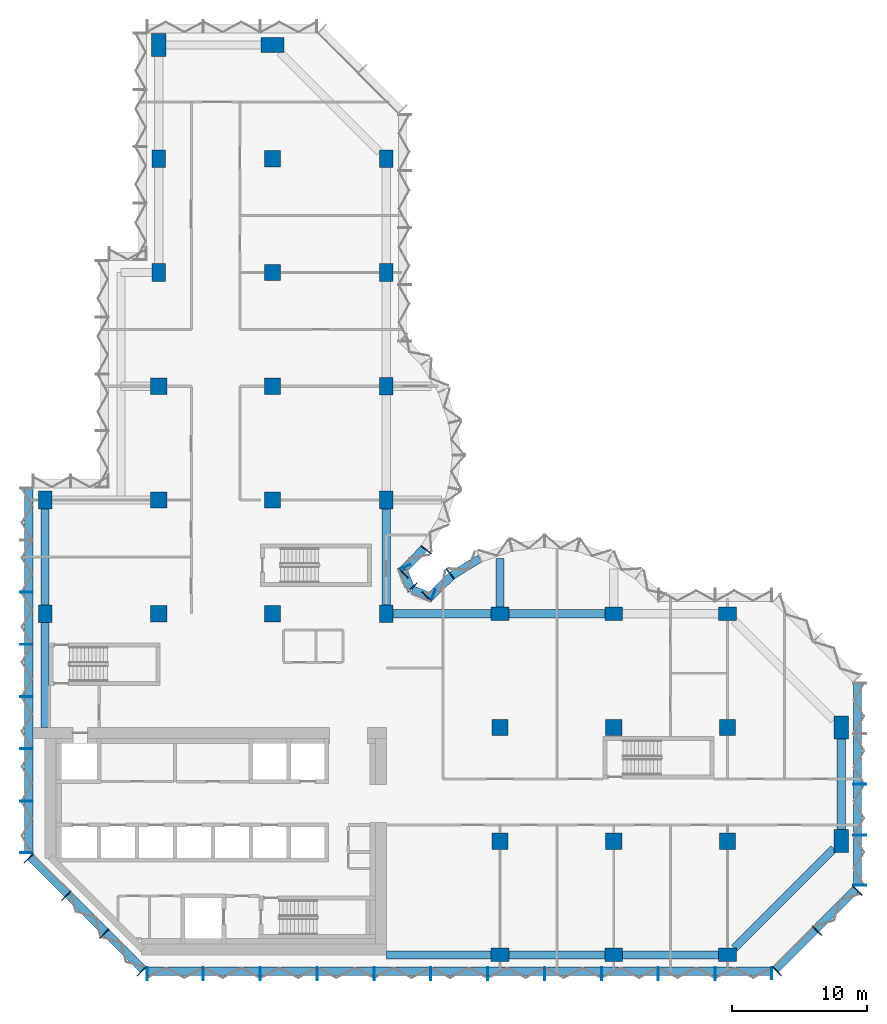
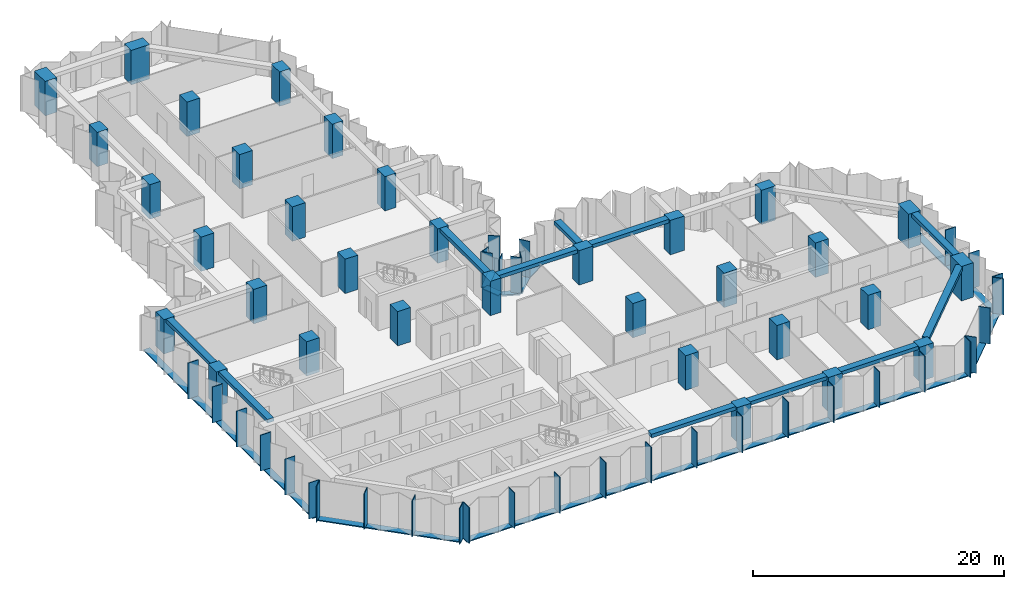
# One storey, part 1 of 11: 45 members, 33 columns, 11 beams, 8 elements without a shape of their own.
"""IFC4 building model written with IfcOpenShell, lengths in metres."""

from ifc_helpers import new_model, si_unit, direction, frame, origin, origin_2d, place, context, subcontext, project, spatial, rectangle, extrude, material, material_profile, profile_set, type_object, element, aggregate, save


model = new_model("IFC4")

# Units and contexts
model_context = context("Model", 3, precision=1e-05, world=origin(), true_north=direction((0.0, 1.0)))
body_context = subcontext(model_context, "Body", "Model", "MODEL_VIEW")
ifc_project = project(units=[si_unit("LENGTHUNIT", "METRE"), si_unit("AREAUNIT", "SQUARE_METRE"), si_unit("VOLUMEUNIT", "CUBIC_METRE"), si_unit("PLANEANGLEUNIT", "RADIAN"), si_unit("MASSUNIT", "GRAM", prefix="KILO")], contexts=[model_context])

# Site, building, storey
site_placement = place(None, origin())
site = spatial("IfcSite", under=ifc_project, at=site_placement, CompositionType="ELEMENT")
building_placement = place(site_placement, origin())
building = spatial("IfcBuilding", under=site, at=building_placement, Name="Brevane Broadcast Tower", CompositionType="ELEMENT")
storey_placement = place(building_placement, frame((0.0, 0.0, 145.699951171875)))
storey = spatial("IfcBuildingStorey", under=building, at=storey_placement, Name="L36", CompositionType="ELEMENT", Elevation=145.699951171875)

# Columns
ifc_material_1 = material(Name="Concrete C60/75", Category="concrete")
ifc_material_profile_1 = material_profile(ifc_material_1, rectangle(XDim=1.0, YDim=1.300048828125, at=origin_2d()), Name="RC 1000x1300")
ifc_profile_set_1 = profile_set([ifc_material_profile_1], Name="Concrete C60/75")
column_type_1 = type_object("IfcColumnType", Name="RC COLUMN EDGE 1000x1300 C60/75", PredefinedType="COLUMN", material=ifc_profile_set_1)
for number, where, z_axis, x_axis, name in (
    (1, (0.0, 25.199951171875, 0.0), (0.0, 0.0, 1.0), (1.0, 0.0, 0.0), "CE8 1/D"),
    (2, (0.0, 33.60009765625, 0.0), (0.0, 0.0, 1.0), (1.0, 0.0, 0.0), "CE8 1/E"),
    (3, (8.39990234375, 50.39990234375, 0.0), (0.0, 0.0, 1.0), (1.0, 0.0, 0.0), "CE8 2/G"),
    (4, (8.39990234375, 58.800048828125, 0.0), (0.0, 0.0, 1.0), (1.0, 0.0, 0.0), "CE8 2/H"),
    (5, (25.199951171875, 25.199951171875, 0.0), (0.0, 0.0, 1.0), (1.0, 0.0, 0.0), "CE8 4/D"),
    (6, (25.199951171875, 33.60009765625, 0.0), (0.0, 0.0, 1.0), (1.0, 0.0, 0.0), "CE8 4/E"),
    (7, (25.199951171875, 42.0, 0.0), (0.0, 0.0, 1.0), (1.0, 0.0, 0.0), "CE8 4/F"),
    (8, (25.199951171875, 50.39990234375, 0.0), (0.0, 0.0, 1.0), (1.0, 0.0, 0.0), "CE8 4/G"),
    (9, (25.199951171875, 58.800048828125, 0.0), (0.0, 0.0, 1.0), (1.0, 0.0, 0.0), "CE8 4/H"),
    (10, (33.60009765625, 0.0, 0.0), (0.0, 0.0, 1.0), (0.0, 1.0, 0.0), "CE8 5/A"),
    (11, (33.60009765625, 25.199951171875, 0.0), (0.0, 0.0, 1.0), (0.0, 1.0, 0.0), "CE8 5/D"),
    (12, (42.0, 0.0, 0.0), (0.0, 0.0, 1.0), (0.0, 1.0, 0.0), "CE8 6/A"),
    (13, (42.0, 25.199951171875, 0.0), (0.0, 0.0, 1.0), (0.0, 1.0, 0.0), "CE8 6/D"),
    (14, (50.39990234375, 0.0, 0.0), (0.0, 0.0, 1.0), (0.0, 1.0, 0.0), "CE8 7/A"),
    (15, (50.39990234375, 25.199951171875, 0.0), (0.0, 0.0, 1.0), (0.0, 1.0, 0.0), "CE8 7/D"),
):
    element("IfcColumn", number, at=place(storey_placement, frame(where, z_axis=z_axis, x_axis=x_axis)), inside=storey, type_object=column_type_1, Name=name, PredefinedType="COLUMN", context=body_context, shape_type="SweptSolid", body=[
        extrude(rectangle(XDim=1.0, YDim=1.300048828125, at=origin_2d()), origin(), (0.0, 0.0, 1.0), 3.35009765625),
    ])
ifc_material_profile_2 = material_profile(ifc_material_1, rectangle(XDim=1.199951171875, YDim=1.199951171875, at=origin_2d()), Name="RC 1200x1200")
ifc_profile_set_2 = profile_set([ifc_material_profile_2], Name="Concrete C60/75")
column_type_2 = type_object("IfcColumnType", Name="RC COLUMN INTERIOR 1200x1200 C60/75", PredefinedType="COLUMN", material=ifc_profile_set_2)
for number, where, z_axis, x_axis, name in (
    (16, (8.39990234375, 25.199951171875, 0.0), (0.0, 0.0, 1.0), (1.0, 0.0, 0.0), "CI9 2/D"),
    (17, (8.39990234375, 33.60009765625, 0.0), (0.0, 0.0, 1.0), (1.0, 0.0, 0.0), "CI9 2/E"),
    (18, (8.39990234375, 42.0, 0.0), (0.0, 0.0, 1.0), (1.0, 0.0, 0.0), "CI9 2/F"),
    (19, (16.800048828125, 25.199951171875, 0.0), (0.0, 0.0, 1.0), (1.0, 0.0, 0.0), "CI9 3/D"),
    (20, (16.800048828125, 33.60009765625, 0.0), (0.0, 0.0, 1.0), (1.0, 0.0, 0.0), "CI9 3/E"),
    (21, (16.800048828125, 42.0, 0.0), (0.0, 0.0, 1.0), (1.0, 0.0, 0.0), "CI9 3/F"),
    (22, (16.800048828125, 50.39990234375, 0.0), (0.0, 0.0, 1.0), (1.0, 0.0, 0.0), "CI9 3/G"),
    (23, (16.800048828125, 58.800048828125, 0.0), (0.0, 0.0, 1.0), (1.0, 0.0, 0.0), "CI9 3/H"),
    (24, (33.60009765625, 8.39990234375, 0.0), (0.0, 0.0, 1.0), (1.0, 0.0, 0.0), "CI9 5/B"),
    (25, (33.60009765625, 16.800048828125, 0.0), (0.0, 0.0, 1.0), (1.0, 0.0, 0.0), "CI9 5/C"),
    (26, (42.0, 8.39990234375, 0.0), (0.0, 0.0, 1.0), (1.0, 0.0, 0.0), "CI9 6/B"),
    (27, (42.0, 16.800048828125, 0.0), (0.0, 0.0, 1.0), (1.0, 0.0, 0.0), "CI9 6/C"),
    (28, (50.39990234375, 8.39990234375, 0.0), (0.0, 0.0, 1.0), (1.0, 0.0, 0.0), "CI9 7/B"),
    (29, (50.39990234375, 16.800048828125, 0.0), (0.0, 0.0, 1.0), (1.0, 0.0, 0.0), "CI9 7/C"),
):
    element("IfcColumn", number, at=place(storey_placement, frame(where, z_axis=z_axis, x_axis=x_axis)), inside=storey, type_object=column_type_2, Name=name, PredefinedType="COLUMN", context=body_context, shape_type="SweptSolid", body=[
        extrude(rectangle(XDim=1.199951171875, YDim=1.199951171875, at=origin_2d()), origin(), (0.0, 0.0, 1.0), 3.35009765625),
    ])
ifc_material_profile_3 = material_profile(ifc_material_1, rectangle(XDim=1.10009765625, YDim=1.699951171875, at=origin_2d()), Name="RC 1100x1700")
ifc_profile_set_3 = profile_set([ifc_material_profile_3], Name="Concrete C60/75")
column_type_3 = type_object("IfcColumnType", Name="RC COLUMN WING-END 1100x1700 C60/75", PredefinedType="COLUMN", material=ifc_profile_set_3)
for number, where, z_axis, x_axis, name in (
    (30, (8.39990234375, 67.199951171875, 0.0), (0.0, 0.0, 1.0), (1.0, 0.0, 0.0), "CW10 2/I"),
    (31, (16.800048828125, 67.199951171875, 0.0), (0.0, 0.0, 1.0), (0.0, 1.0, 0.0), "CW10 3/I"),
    (32, (58.800048828125, 8.39990234375, 0.0), (0.0, 0.0, 1.0), (1.0, 0.0, 0.0), "CW10 8/B"),
    (33, (58.800048828125, 16.800048828125, 0.0), (0.0, 0.0, 1.0), (1.0, 0.0, 0.0), "CW10 8/C"),
):
    element("IfcColumn", number, at=place(storey_placement, frame(where, z_axis=z_axis, x_axis=x_axis)), inside=storey, type_object=column_type_3, Name=name, PredefinedType="COLUMN", context=body_context, shape_type="SweptSolid", body=[
        extrude(rectangle(XDim=1.10009765625, YDim=1.699951171875, at=origin_2d()), origin(), (0.0, 0.0, 1.0), 3.35009765625),
    ])

# Curtain wall, members
ifc_material_2 = material(Name="Aluminium 6063-T6 bronze anodised", Category="aluminium")
curtain_wall_type = type_object("IfcCurtainWallType", Name="CW-1 curtain wall", PredefinedType="NOTDEFINED", material=ifc_material_2)
curtain_wall_1_placement = place(storey_placement, origin())
curtain_wall_1 = element("IfcCurtainWall", 34, at=curtain_wall_1_placement, inside=storey, type_object=curtain_wall_type, Name="CW-1 typical tilted unit L36 south face", PredefinedType="NOTDEFINED")
ifc_material_profile_4 = material_profile(ifc_material_2, rectangle(XDim=0.949951171875, YDim=0.070068359375, at=origin_2d()), Name="RECT 70x950")
ifc_profile_set_4 = profile_set([ifc_material_profile_4], Name="Aluminium 6063-T6 bronze anodised")
member_type_1 = type_object("IfcMemberType", Name="CW-1 mullion 70x950", PredefinedType="MULLION", material=ifc_profile_set_4)
member_1_placement = place(storey_placement, frame((7.534912109375, -1.375, -0.14990234375), z_axis=(0.0, 0.0, 1.0), x_axis=(0.0, 1.0, 0.0)))
member_1 = element("IfcMember", 35, at=member_1_placement, type_object=member_type_1, Name="CW-1 mullion", PredefinedType="MULLION", context=body_context, shape_type="SweptSolid", body=[
    extrude(rectangle(XDim=0.949951171875, YDim=0.070068359375, at=origin_2d()), origin(), (0.0, 0.0, 1.0), 3.5),
])
member_2_placement = place(storey_placement, frame((11.699951171875, -1.375, -0.14990234375), z_axis=(0.0, 0.0, 1.0), x_axis=(0.0, 1.0, 0.0)))
member_2 = element("IfcMember", 36, at=member_2_placement, type_object=member_type_1, Name="CW-1 mullion", PredefinedType="MULLION", context=body_context, shape_type="SweptSolid", body=[
    extrude(rectangle(XDim=0.949951171875, YDim=0.070068359375, at=origin_2d()), origin(), (0.0, 0.0, 1.0), 3.5),
])
member_3_placement = place(storey_placement, frame((15.89990234375, -1.375, -0.14990234375), z_axis=(0.0, 0.0, 1.0), x_axis=(0.0, 1.0, 0.0)))
member_3 = element("IfcMember", 37, at=member_3_placement, type_object=member_type_1, Name="CW-1 mullion", PredefinedType="MULLION", context=body_context, shape_type="SweptSolid", body=[
    extrude(rectangle(XDim=0.949951171875, YDim=0.070068359375, at=origin_2d()), origin(), (0.0, 0.0, 1.0), 3.5),
])
member_4_placement = place(storey_placement, frame((20.10009765625, -1.375, -0.14990234375), z_axis=(0.0, 0.0, 1.0), x_axis=(0.0, 1.0, 0.0)))
member_4 = element("IfcMember", 38, at=member_4_placement, type_object=member_type_1, Name="CW-1 mullion", PredefinedType="MULLION", context=body_context, shape_type="SweptSolid", body=[
    extrude(rectangle(XDim=0.949951171875, YDim=0.070068359375, at=origin_2d()), origin(), (0.0, 0.0, 1.0), 3.5),
])
member_5_placement = place(storey_placement, frame((24.300048828125, -1.375, -0.14990234375), z_axis=(0.0, 0.0, 1.0), x_axis=(0.0, 1.0, 0.0)))
member_5 = element("IfcMember", 39, at=member_5_placement, type_object=member_type_1, Name="CW-1 mullion", PredefinedType="MULLION", context=body_context, shape_type="SweptSolid", body=[
    extrude(rectangle(XDim=0.949951171875, YDim=0.070068359375, at=origin_2d()), origin(), (0.0, 0.0, 1.0), 3.5),
])
member_6_placement = place(storey_placement, frame((28.5, -1.375, -0.14990234375), z_axis=(0.0, 0.0, 1.0), x_axis=(0.0, 1.0, 0.0)))
member_6 = element("IfcMember", 40, at=member_6_placement, type_object=member_type_1, Name="CW-1 mullion", PredefinedType="MULLION", context=body_context, shape_type="SweptSolid", body=[
    extrude(rectangle(XDim=0.949951171875, YDim=0.070068359375, at=origin_2d()), origin(), (0.0, 0.0, 1.0), 3.5),
])
member_7_placement = place(storey_placement, frame((32.699951171875, -1.375, -0.14990234375), z_axis=(0.0, 0.0, 1.0), x_axis=(0.0, 1.0, 0.0)))
member_7 = element("IfcMember", 41, at=member_7_placement, type_object=member_type_1, Name="CW-1 mullion", PredefinedType="MULLION", context=body_context, shape_type="SweptSolid", body=[
    extrude(rectangle(XDim=0.949951171875, YDim=0.070068359375, at=origin_2d()), origin(), (0.0, 0.0, 1.0), 3.5),
])
member_8_placement = place(storey_placement, frame((36.89990234375, -1.375, -0.14990234375), z_axis=(0.0, 0.0, 1.0), x_axis=(0.0, 1.0, 0.0)))
member_8 = element("IfcMember", 42, at=member_8_placement, type_object=member_type_1, Name="CW-1 mullion", PredefinedType="MULLION", context=body_context, shape_type="SweptSolid", body=[
    extrude(rectangle(XDim=0.949951171875, YDim=0.070068359375, at=origin_2d()), origin(), (0.0, 0.0, 1.0), 3.5),
])
member_9_placement = place(storey_placement, frame((41.10009765625, -1.375, -0.14990234375), z_axis=(0.0, 0.0, 1.0), x_axis=(0.0, 1.0, 0.0)))
member_9 = element("IfcMember", 43, at=member_9_placement, type_object=member_type_1, Name="CW-1 mullion", PredefinedType="MULLION", context=body_context, shape_type="SweptSolid", body=[
    extrude(rectangle(XDim=0.949951171875, YDim=0.070068359375, at=origin_2d()), origin(), (0.0, 0.0, 1.0), 3.5),
])
member_10_placement = place(storey_placement, frame((45.300048828125, -1.375, -0.14990234375), z_axis=(0.0, 0.0, 1.0), x_axis=(0.0, 1.0, 0.0)))
member_10 = element("IfcMember", 44, at=member_10_placement, type_object=member_type_1, Name="CW-1 mullion", PredefinedType="MULLION", context=body_context, shape_type="SweptSolid", body=[
    extrude(rectangle(XDim=0.949951171875, YDim=0.070068359375, at=origin_2d()), origin(), (0.0, 0.0, 1.0), 3.5),
])
member_11_placement = place(storey_placement, frame((49.5, -1.375, -0.14990234375), z_axis=(0.0, 0.0, 1.0), x_axis=(0.0, 1.0, 0.0)))
member_11 = element("IfcMember", 45, at=member_11_placement, type_object=member_type_1, Name="CW-1 mullion", PredefinedType="MULLION", context=body_context, shape_type="SweptSolid", body=[
    extrude(rectangle(XDim=0.949951171875, YDim=0.070068359375, at=origin_2d()), origin(), (0.0, 0.0, 1.0), 3.5),
])
member_12_placement = place(storey_placement, frame((53.6650390625, -1.375, -0.14990234375), z_axis=(0.0, 0.0, 1.0), x_axis=(0.0, 1.0, 0.0)))
member_12 = element("IfcMember", 46, at=member_12_placement, type_object=member_type_1, Name="CW-1 mullion", PredefinedType="MULLION", context=body_context, shape_type="SweptSolid", body=[
    extrude(rectangle(XDim=0.949951171875, YDim=0.070068359375, at=origin_2d()), origin(), (0.0, 0.0, 1.0), 3.5),
])

curtain_wall_2_placement = place(storey_placement, origin())
curtain_wall_2 = element("IfcCurtainWall", 47, at=curtain_wall_2_placement, inside=storey, type_object=curtain_wall_type, Name="CW-1 typical tilted unit L36 south-east chamfer", PredefinedType="NOTDEFINED")
member_13_placement = place(storey_placement, frame((54.060546875, -1.211181640625, -0.14990234375), z_axis=(0.0, 0.0, 1.0), x_axis=(-0.707106781187, 0.707106781187, 0.0)))
member_13 = element("IfcMember", 48, at=member_13_placement, type_object=member_type_1, Name="CW-1 mullion", PredefinedType="MULLION", context=body_context, shape_type="SweptSolid", body=[
    extrude(rectangle(XDim=0.949951171875, YDim=0.070068359375, at=origin_2d()), origin(), (0.0, 0.0, 1.0), 3.5),
])
member_14_placement = place(storey_placement, frame((57.035888671875, 1.76416015625, -0.14990234375), z_axis=(0.0, 0.0, 1.0), x_axis=(-0.707106781187, 0.707106781187, 0.0)))
member_14 = element("IfcMember", 49, at=member_14_placement, type_object=member_type_1, Name="CW-1 mullion", PredefinedType="MULLION", context=body_context, shape_type="SweptSolid", body=[
    extrude(rectangle(XDim=0.949951171875, YDim=0.070068359375, at=origin_2d()), origin(), (0.0, 0.0, 1.0), 3.5),
])
member_15_placement = place(storey_placement, frame((60.01123046875, 4.7392578125, -0.14990234375), z_axis=(0.0, 0.0, 1.0), x_axis=(-0.707106781187, 0.707106781187, 0.0)))
member_15 = element("IfcMember", 50, at=member_15_placement, type_object=member_type_1, Name="CW-1 mullion", PredefinedType="MULLION", context=body_context, shape_type="SweptSolid", body=[
    extrude(rectangle(XDim=0.949951171875, YDim=0.070068359375, at=origin_2d()), origin(), (0.0, 0.0, 1.0), 3.5),
])

curtain_wall_3_placement = place(storey_placement, origin())
curtain_wall_3 = element("IfcCurtainWall", 51, at=curtain_wall_3_placement, inside=storey, type_object=curtain_wall_type, Name="CW-1 typical tilted unit L36 east end", PredefinedType="NOTDEFINED")
member_16_placement = place(storey_placement, frame((60.175048828125, 5.135009765625, -0.14990234375), z_axis=(0.0, 0.0, 1.0), x_axis=(-1.0, 0.0, 0.0)))
member_16 = element("IfcMember", 52, at=member_16_placement, type_object=member_type_1, Name="CW-1 mullion", PredefinedType="MULLION", context=body_context, shape_type="SweptSolid", body=[
    extrude(rectangle(XDim=0.949951171875, YDim=0.070068359375, at=origin_2d()), origin(), (0.0, 0.0, 1.0), 3.5),
])
member_17_placement = place(storey_placement, frame((60.175048828125, 8.85009765625, -0.14990234375), z_axis=(0.0, 0.0, 1.0), x_axis=(-1.0, 0.0, 0.0)))
member_17 = element("IfcMember", 53, at=member_17_placement, type_object=member_type_1, Name="CW-1 mullion", PredefinedType="MULLION", context=body_context, shape_type="SweptSolid", body=[
    extrude(rectangle(XDim=0.949951171875, YDim=0.070068359375, at=origin_2d()), origin(), (0.0, 0.0, 1.0), 3.5),
])
member_18_placement = place(storey_placement, frame((60.175048828125, 12.60009765625, -0.14990234375), z_axis=(0.0, 0.0, 1.0), x_axis=(-1.0, 0.0, 0.0)))
member_18 = element("IfcMember", 54, at=member_18_placement, type_object=member_type_1, Name="CW-1 mullion", PredefinedType="MULLION", context=body_context, shape_type="SweptSolid", body=[
    extrude(rectangle(XDim=0.949951171875, YDim=0.070068359375, at=origin_2d()), origin(), (0.0, 0.0, 1.0), 3.5),
])

curtain_wall_4_placement = place(storey_placement, origin())
curtain_wall_4 = element("IfcCurtainWall", 55, at=curtain_wall_4_placement, inside=storey, type_object=curtain_wall_type, Name="CW-1 typical tilted unit L36 east bow", PredefinedType="NOTDEFINED")
member_19_placement = place(storey_placement, frame((29.927978515625, 28.1455078125, -0.14990234375), z_axis=(0.0, 0.0, 1.0), x_axis=(0.614769738617, -0.788706642853, 0.0)))
member_19 = element("IfcMember", 56, at=member_19_placement, type_object=member_type_1, Name="CW-1 mullion", PredefinedType="MULLION", context=body_context, shape_type="SweptSolid", body=[
    extrude(rectangle(XDim=0.949951171875, YDim=0.070068359375, at=origin_2d()), origin(), (0.0, 0.0, 1.0), 3.5),
])
member_20_placement = place(storey_placement, frame((28.194091796875, 26.465087890625, -0.14990234375), z_axis=(0.0, 0.0, 1.0), x_axis=(0.696811941702, -0.717253872699, 0.0)))
member_20 = element("IfcMember", 57, at=member_20_placement, type_object=member_type_1, Name="CW-1 mullion", PredefinedType="MULLION", context=body_context, shape_type="SweptSolid", body=[
    extrude(rectangle(XDim=0.949951171875, YDim=0.070068359375, at=origin_2d()), origin(), (0.0, 0.0, 1.0), 3.5),
])

curtain_wall_5_placement = place(storey_placement, origin())
curtain_wall_5 = element("IfcCurtainWall", 58, at=curtain_wall_5_placement, inside=storey, type_object=curtain_wall_type, Name="CW-1 typical tilted unit L36 inner corner", PredefinedType="NOTDEFINED")
member_21_placement = place(storey_placement, frame((28.6494140625, 26.55224609375, -0.14990234375), z_axis=(0.0, 0.0, 1.0), x_axis=(-0.382683612978, -0.923879457699, 0.0)))
member_21 = element("IfcMember", 59, at=member_21_placement, type_object=member_type_1, Name="CW-1 mullion", PredefinedType="MULLION", context=body_context, shape_type="SweptSolid", body=[
    extrude(rectangle(XDim=0.949951171875, YDim=0.070068359375, at=origin_2d()), origin(), (0.0, 0.0, 1.0), 3.5),
])
member_22_placement = place(storey_placement, frame((27.138916015625, 27.138916015625, -0.14990234375), z_axis=(0.0, 0.0, 1.0), x_axis=(-0.707106781187, -0.707106781187, 0.0)))
member_22 = element("IfcMember", 60, at=member_22_placement, type_object=member_type_1, Name="CW-1 mullion", PredefinedType="MULLION", context=body_context, shape_type="SweptSolid", body=[
    extrude(rectangle(XDim=0.949951171875, YDim=0.070068359375, at=origin_2d()), origin(), (0.0, 0.0, 1.0), 3.5),
])
member_23_placement = place(storey_placement, frame((26.55224609375, 28.6494140625, -0.14990234375), z_axis=(0.0, 0.0, 1.0), x_axis=(-0.923879457699, -0.382683612978, 0.0)))
member_23 = element("IfcMember", 61, at=member_23_placement, type_object=member_type_1, Name="CW-1 mullion", PredefinedType="MULLION", context=body_context, shape_type="SweptSolid", body=[
    extrude(rectangle(XDim=0.949951171875, YDim=0.070068359375, at=origin_2d()), origin(), (0.0, 0.0, 1.0), 3.5),
])

curtain_wall_6_placement = place(storey_placement, origin())
curtain_wall_6 = element("IfcCurtainWall", 62, at=curtain_wall_6_placement, inside=storey, type_object=curtain_wall_type, Name="CW-1 typical tilted unit L36 north bow", PredefinedType="NOTDEFINED")
member_24_placement = place(storey_placement, frame((26.465087890625, 28.194091796875, -0.14990234375), z_axis=(0.0, 0.0, 1.0), x_axis=(-0.717253872699, 0.696811941702, 0.0)))
member_24 = element("IfcMember", 63, at=member_24_placement, type_object=member_type_1, Name="CW-1 mullion", PredefinedType="MULLION", context=body_context, shape_type="SweptSolid", body=[
    extrude(rectangle(XDim=0.949951171875, YDim=0.070068359375, at=origin_2d()), origin(), (0.0, 0.0, 1.0), 3.5),
])
member_25_placement = place(storey_placement, frame((28.1455078125, 29.927978515625, -0.14990234375), z_axis=(0.0, 0.0, 1.0), x_axis=(-0.788706642853, 0.614769738617, 0.0)))
member_25 = element("IfcMember", 64, at=member_25_placement, type_object=member_type_1, Name="CW-1 mullion", PredefinedType="MULLION", context=body_context, shape_type="SweptSolid", body=[
    extrude(rectangle(XDim=0.949951171875, YDim=0.070068359375, at=origin_2d()), origin(), (0.0, 0.0, 1.0), 3.5),
])

curtain_wall_7_placement = place(storey_placement, origin())
curtain_wall_7 = element("IfcCurtainWall", 65, at=curtain_wall_7_placement, inside=storey, type_object=curtain_wall_type, Name="CW-1 typical tilted unit L36 west face", PredefinedType="NOTDEFINED")
member_26_placement = place(storey_placement, frame((-1.375, 26.78564453125, -0.14990234375), z_axis=(0.0, 0.0, 1.0), x_axis=(1.0, 0.0, 0.0)))
member_26 = element("IfcMember", 66, at=member_26_placement, type_object=member_type_1, Name="CW-1 mullion", PredefinedType="MULLION", context=body_context, shape_type="SweptSolid", body=[
    extrude(rectangle(XDim=0.949951171875, YDim=0.070068359375, at=origin_2d()), origin(), (0.0, 0.0, 1.0), 3.5),
])
member_27_placement = place(storey_placement, frame((-1.375, 22.928466796875, -0.14990234375), z_axis=(0.0, 0.0, 1.0), x_axis=(1.0, 0.0, 0.0)))
member_27 = element("IfcMember", 67, at=member_27_placement, type_object=member_type_1, Name="CW-1 mullion", PredefinedType="MULLION", context=body_context, shape_type="SweptSolid", body=[
    extrude(rectangle(XDim=0.949951171875, YDim=0.070068359375, at=origin_2d()), origin(), (0.0, 0.0, 1.0), 3.5),
])
member_28_placement = place(storey_placement, frame((-1.375, 19.071533203125, -0.14990234375), z_axis=(0.0, 0.0, 1.0), x_axis=(1.0, 0.0, 0.0)))
member_28 = element("IfcMember", 68, at=member_28_placement, type_object=member_type_1, Name="CW-1 mullion", PredefinedType="MULLION", context=body_context, shape_type="SweptSolid", body=[
    extrude(rectangle(XDim=0.949951171875, YDim=0.070068359375, at=origin_2d()), origin(), (0.0, 0.0, 1.0), 3.5),
])
member_29_placement = place(storey_placement, frame((-1.375, 15.21435546875, -0.14990234375), z_axis=(0.0, 0.0, 1.0), x_axis=(1.0, 0.0, 0.0)))
member_29 = element("IfcMember", 69, at=member_29_placement, type_object=member_type_1, Name="CW-1 mullion", PredefinedType="MULLION", context=body_context, shape_type="SweptSolid", body=[
    extrude(rectangle(XDim=0.949951171875, YDim=0.070068359375, at=origin_2d()), origin(), (0.0, 0.0, 1.0), 3.5),
])
member_30_placement = place(storey_placement, frame((-1.375, 11.357177734375, -0.14990234375), z_axis=(0.0, 0.0, 1.0), x_axis=(1.0, 0.0, 0.0)))
member_30 = element("IfcMember", 70, at=member_30_placement, type_object=member_type_1, Name="CW-1 mullion", PredefinedType="MULLION", context=body_context, shape_type="SweptSolid", body=[
    extrude(rectangle(XDim=0.949951171875, YDim=0.070068359375, at=origin_2d()), origin(), (0.0, 0.0, 1.0), 3.5),
])
member_31_placement = place(storey_placement, frame((-1.375, 7.534912109375, -0.14990234375), z_axis=(0.0, 0.0, 1.0), x_axis=(1.0, 0.0, 0.0)))
member_31 = element("IfcMember", 71, at=member_31_placement, type_object=member_type_1, Name="CW-1 mullion", PredefinedType="MULLION", context=body_context, shape_type="SweptSolid", body=[
    extrude(rectangle(XDim=0.949951171875, YDim=0.070068359375, at=origin_2d()), origin(), (0.0, 0.0, 1.0), 3.5),
])

curtain_wall_8_placement = place(storey_placement, origin())
curtain_wall_8 = element("IfcCurtainWall", 72, at=curtain_wall_8_placement, inside=storey, type_object=curtain_wall_type, Name="CW-1 typical tilted unit L36 south-west chamfer", PredefinedType="NOTDEFINED")
member_32_placement = place(storey_placement, frame((-1.211181640625, 7.139404296875, -0.14990234375), z_axis=(0.0, 0.0, 1.0), x_axis=(0.707106781187, 0.707106781187, 0.0)))
member_32 = element("IfcMember", 73, at=member_32_placement, type_object=member_type_1, Name="CW-1 mullion", PredefinedType="MULLION", context=body_context, shape_type="SweptSolid", body=[
    extrude(rectangle(XDim=0.949951171875, YDim=0.070068359375, at=origin_2d()), origin(), (0.0, 0.0, 1.0), 3.5),
])
member_33_placement = place(storey_placement, frame((1.564208984375, 4.364013671875, -0.14990234375), z_axis=(0.0, 0.0, 1.0), x_axis=(0.707106781187, 0.707106781187, 0.0)))
member_33 = element("IfcMember", 74, at=member_33_placement, type_object=member_type_1, Name="CW-1 mullion", PredefinedType="MULLION", context=body_context, shape_type="SweptSolid", body=[
    extrude(rectangle(XDim=0.949951171875, YDim=0.070068359375, at=origin_2d()), origin(), (0.0, 0.0, 1.0), 3.5),
])
member_34_placement = place(storey_placement, frame((4.364013671875, 1.564208984375, -0.14990234375), z_axis=(0.0, 0.0, 1.0), x_axis=(0.707106781187, 0.707106781187, 0.0)))
member_34 = element("IfcMember", 75, at=member_34_placement, type_object=member_type_1, Name="CW-1 mullion", PredefinedType="MULLION", context=body_context, shape_type="SweptSolid", body=[
    extrude(rectangle(XDim=0.949951171875, YDim=0.070068359375, at=origin_2d()), origin(), (0.0, 0.0, 1.0), 3.5),
])
member_35_placement = place(storey_placement, frame((7.139404296875, -1.211181640625, -0.14990234375), z_axis=(0.0, 0.0, 1.0), x_axis=(0.707106781187, 0.707106781187, 0.0)))
member_35 = element("IfcMember", 76, at=member_35_placement, type_object=member_type_1, Name="CW-1 mullion", PredefinedType="MULLION", context=body_context, shape_type="SweptSolid", body=[
    extrude(rectangle(XDim=0.949951171875, YDim=0.070068359375, at=origin_2d()), origin(), (0.0, 0.0, 1.0), 3.5),
])

# Member
ifc_material_profile_5 = material_profile(ifc_material_2, rectangle(XDim=0.60009765625, YDim=0.10009765625, at=origin_2d()), Name="RECT 100x600")
ifc_profile_set_5 = profile_set([ifc_material_profile_5], Name="Aluminium 6063-T6 bronze anodised")
member_type_2 = type_object("IfcMemberType", Name="CW-1 transom 100x600", PredefinedType="USERDEFINED", material=ifc_profile_set_5)
member_36_placement = place(storey_placement, frame((7.5, -1.199951171875, -0.199951171875), z_axis=(1.0, 0.0, 0.0), x_axis=(0.0, 1.0, 0.0)))
member_36 = element("IfcMember", 77, at=member_36_placement, type_object=member_type_2, Name="CW-1 transom", ObjectType="TRANSOM", PredefinedType="USERDEFINED", context=body_context, shape_type="SweptSolid", body=[
    extrude(rectangle(XDim=0.60009765625, YDim=0.10009765625, at=origin_2d()), origin(), (0.0, 0.0, 1.0), 46.199951171875),
])

aggregate(curtain_wall_1, [member_1, member_2, member_3, member_4, member_5, member_6, member_7, member_8, member_9, member_10, member_11, member_12, member_36])

member_37_placement = place(storey_placement, frame((53.912109375, -1.112060546875, -0.199951171875), z_axis=(0.707106781187, 0.707106781187, 0.0), x_axis=(-0.707106781187, 0.707106781187, 0.0)))
member_37 = element("IfcMember", 78, at=member_37_placement, type_object=member_type_2, Name="CW-1 transom", ObjectType="TRANSOM", PredefinedType="USERDEFINED", context=body_context, shape_type="SweptSolid", body=[
    extrude(rectangle(XDim=0.60009765625, YDim=0.10009765625, at=origin_2d()), origin(), (0.0, 0.0, 1.0), 8.4853515625),
])

aggregate(curtain_wall_2, [member_13, member_14, member_15, member_37])

member_38_placement = place(storey_placement, frame((60.0, 5.10009765625, -0.199951171875), z_axis=(0.0, 1.0, 0.0), x_axis=(-1.0, 0.0, 0.0)))
member_38 = element("IfcMember", 79, at=member_38_placement, type_object=member_type_2, Name="CW-1 transom", ObjectType="TRANSOM", PredefinedType="USERDEFINED", context=body_context, shape_type="SweptSolid", body=[
    extrude(rectangle(XDim=0.60009765625, YDim=0.10009765625, at=origin_2d()), origin(), (0.0, 0.0, 1.0), 15.0),
])

aggregate(curtain_wall_3, [member_16, member_17, member_18, member_38])

member_39_placement = place(storey_placement, frame((32.09521484375, 29.281494140625, -0.199951171875), z_axis=(-0.850838211365, -0.525427766759, 0.0), x_axis=(0.525427766759, -0.850838211365, 0.0)))
member_39 = element("IfcMember", 80, at=member_39_placement, type_object=member_type_2, Name="CW-1 transom", ObjectType="TRANSOM", PredefinedType="USERDEFINED", context=body_context, shape_type="SweptSolid", body=[
    extrude(rectangle(XDim=0.60009765625, YDim=0.10009765625, at=origin_2d()), origin(), (0.0, 0.0, 1.0), 2.394775390625),
])

member_40_placement = place(storey_placement, frame((29.99951171875, 27.974365234375, -0.199951171875), z_axis=(-0.71724215871, -0.696823999134, 0.0), x_axis=(0.696823999134, -0.71724215871, 0.0)))
member_40 = element("IfcMember", 81, at=member_40_placement, type_object=member_type_2, Name="CW-1 transom", ObjectType="TRANSOM", PredefinedType="USERDEFINED", context=body_context, shape_type="SweptSolid", body=[
    extrude(rectangle(XDim=0.60009765625, YDim=0.10009765625, at=origin_2d()), origin(), (0.0, 0.0, 1.0), 2.247802734375),
])

aggregate(curtain_wall_4, [member_19, member_20, member_39, member_40])

member_41_placement = place(storey_placement, frame((28.528076171875, 26.40673828125, -0.199951171875), z_axis=(-0.923883243627, 0.382674472816, 0.0), x_axis=(-0.382674472816, -0.923883243627, 0.0)))
member_41 = element("IfcMember", 82, at=member_41_placement, type_object=member_type_2, Name="CW-1 transom", ObjectType="TRANSOM", PredefinedType="USERDEFINED", context=body_context, shape_type="SweptSolid", body=[
    extrude(rectangle(XDim=0.60009765625, YDim=0.10009765625, at=origin_2d()), origin(), (0.0, 0.0, 1.0), 1.536865234375),
])

member_42_placement = place(storey_placement, frame((27.039794921875, 27.0, -0.199951171875), z_axis=(-0.382674472816, 0.923883243627, 0.0), x_axis=(-0.923883243627, -0.382674472816, 0.0)))
member_42 = element("IfcMember", 83, at=member_42_placement, type_object=member_type_2, Name="CW-1 transom", ObjectType="TRANSOM", PredefinedType="USERDEFINED", context=body_context, shape_type="SweptSolid", body=[
    extrude(rectangle(XDim=0.60009765625, YDim=0.10009765625, at=origin_2d()), origin(), (0.0, 0.0, 1.0), 1.536865234375),
])

aggregate(curtain_wall_5, [member_21, member_22, member_23, member_41, member_42])

member_43_placement = place(storey_placement, frame((26.407958984375, 28.38720703125, -0.199951171875), z_axis=(0.696823999134, 0.71724215871, 0.0), x_axis=(-0.71724215871, 0.696823999134, 0.0)))
member_43 = element("IfcMember", 84, at=member_43_placement, type_object=member_type_2, Name="CW-1 transom", ObjectType="TRANSOM", PredefinedType="USERDEFINED", context=body_context, shape_type="SweptSolid", body=[
    extrude(rectangle(XDim=0.60009765625, YDim=0.10009765625, at=origin_2d()), origin(), (0.0, 0.0, 1.0), 2.247802734375),
])

aggregate(curtain_wall_6, [member_24, member_25, member_43])

member_44_placement = place(storey_placement, frame((-1.199951171875, 34.5, -0.199951171875), z_axis=(0.0, -1.0, 0.0), x_axis=(1.0, 0.0, 0.0)))
member_44 = element("IfcMember", 85, at=member_44_placement, type_object=member_type_2, Name="CW-1 transom", ObjectType="TRANSOM", PredefinedType="USERDEFINED", context=body_context, shape_type="SweptSolid", body=[
    extrude(rectangle(XDim=0.60009765625, YDim=0.10009765625, at=origin_2d()), origin(), (0.0, 0.0, 1.0), 27.0),
])

aggregate(curtain_wall_7, [member_26, member_27, member_28, member_29, member_30, member_31, member_44])

member_45_placement = place(storey_placement, frame((-1.112060546875, 7.287841796875, -0.199951171875), z_axis=(0.707106781187, -0.707106781187, 0.0), x_axis=(0.707106781187, 0.707106781187, 0.0)))
member_45 = element("IfcMember", 86, at=member_45_placement, type_object=member_type_2, Name="CW-1 transom", ObjectType="TRANSOM", PredefinedType="USERDEFINED", context=body_context, shape_type="SweptSolid", body=[
    extrude(rectangle(XDim=0.60009765625, YDim=0.10009765625, at=origin_2d()), origin(), (0.0, 0.0, 1.0), 11.879150390625),
])

aggregate(curtain_wall_8, [member_32, member_33, member_34, member_35, member_45])

# Beams
ifc_material_3 = material(Name="Concrete C40/50", Category="concrete")
ifc_material_profile_6 = material_profile(ifc_material_3, rectangle(XDim=0.60009765625, YDim=0.35009765625, at=origin_2d()), Name="RC 600x350")
ifc_profile_set_6 = profile_set([ifc_material_profile_6], Name="Concrete C40/50")
beam_type_1 = type_object("IfcBeamType", Name="RC BRACKET BEAM 600x350 C40/50", PredefinedType="BEAM", material=ifc_profile_set_6)
beam_1_placement = place(storey_placement, frame((33.60009765625, 25.699951171875, 3.175048828125), z_axis=(0.0, 1.0, 0.0), x_axis=(-1.0, 0.0, 0.0)))
element("IfcBeam", 87, at=beam_1_placement, inside=storey, type_object=beam_type_1, Name="EB2 L36-3", PredefinedType="BEAM", context=body_context, shape_type="SweptSolid", body=[
    extrude(rectangle(XDim=0.60009765625, YDim=0.35009765625, at=origin_2d()), origin(), (0.0, 0.0, 1.0), 3.56201171875),
])
ifc_material_profile_7 = material_profile(ifc_material_3, rectangle(XDim=0.60009765625, YDim=0.35009765625, at=origin_2d()), Name="RC 600x350")
ifc_profile_set_7 = profile_set([ifc_material_profile_7], Name="Concrete C40/50")
beam_type_2 = type_object("IfcBeamType", Name="RC SPANDREL BEAM 600x350 C40/50", PredefinedType="SPANDREL", material=ifc_profile_set_7)
beam_2_placement = place(storey_placement, frame((25.199951171875, 0.0, 3.175048828125), z_axis=(1.0, 0.0, 0.0), x_axis=(0.0, 1.0, 0.0)))
element("IfcBeam", 88, at=beam_2_placement, inside=storey, type_object=beam_type_2, Name="EB1 L36-1", PredefinedType="SPANDREL", context=body_context, shape_type="SweptSolid", body=[
    extrude(rectangle(XDim=0.60009765625, YDim=0.35009765625, at=origin_2d()), origin(), (0.0, 0.0, 1.0), 7.75),
])
for number, where, z_axis, x_axis, name in (
    (89, (34.25, 0.0, 3.175048828125), (1.0, 0.0, 0.0), (0.0, 1.0, 0.0), "EB1 L36-2"),
    (90, (42.64990234375, 0.0, 3.175048828125), (1.0, 0.0, 0.0), (0.0, 1.0, 0.0), "EB1 L36-3"),
):
    element("IfcBeam", number, at=place(storey_placement, frame(where, z_axis=z_axis, x_axis=x_axis)), inside=storey, type_object=beam_type_2, Name=name, PredefinedType="SPANDREL", context=body_context, shape_type="SweptSolid", body=[
        extrude(rectangle(XDim=0.60009765625, YDim=0.35009765625, at=origin_2d()), origin(), (0.0, 0.0, 1.0), 7.10009765625),
    ])
beam_3_placement = place(storey_placement, frame((50.89990234375, 0.5, 3.175048828125), z_axis=(0.707106781187, 0.707106781187, 0.0), x_axis=(-0.707106781187, 0.707106781187, 0.0)))
element("IfcBeam", 91, at=beam_3_placement, inside=storey, type_object=beam_type_2, Name="EB1 L36-4", PredefinedType="SPANDREL", context=body_context, shape_type="SweptSolid", body=[
    extrude(rectangle(XDim=0.60009765625, YDim=0.35009765625, at=origin_2d()), origin(), (0.0, 0.0, 1.0), 10.39453125),
])
beam_4_placement = place(storey_placement, frame((58.800048828125, 9.25, 3.175048828125), z_axis=(0.0, 1.0, 0.0), x_axis=(-1.0, 0.0, 0.0)))
element("IfcBeam", 92, at=beam_4_placement, inside=storey, type_object=beam_type_2, Name="EB1 L36-5", PredefinedType="SPANDREL", context=body_context, shape_type="SweptSolid", body=[
    extrude(rectangle(XDim=0.60009765625, YDim=0.35009765625, at=origin_2d()), origin(), (0.0, 0.0, 1.0), 6.699951171875),
])
beam_5_placement = place(storey_placement, frame((41.35009765625, 25.199951171875, 3.175048828125), z_axis=(-1.0, 0.0, 0.0), x_axis=(0.0, -1.0, 0.0)))
element("IfcBeam", 93, at=beam_5_placement, inside=storey, type_object=beam_type_2, Name="EB1 L36-8", PredefinedType="SPANDREL", context=body_context, shape_type="SweptSolid", body=[
    extrude(rectangle(XDim=0.60009765625, YDim=0.35009765625, at=origin_2d()), origin(), (0.0, 0.0, 1.0), 7.10009765625),
])
beam_6_placement = place(storey_placement, frame((32.949951171875, 25.199951171875, 3.175048828125), z_axis=(-1.0, 0.0, 0.0), x_axis=(0.0, -1.0, 0.0)))
element("IfcBeam", 94, at=beam_6_placement, inside=storey, type_object=beam_type_2, Name="EB1 L36-9", PredefinedType="SPANDREL", context=body_context, shape_type="SweptSolid", body=[
    extrude(rectangle(XDim=0.60009765625, YDim=0.35009765625, at=origin_2d()), origin(), (0.0, 0.0, 1.0), 7.25),
])
for number, where, z_axis, x_axis, name in (
    (95, (25.199951171875, 25.85009765625, 3.175048828125), (0.0, 1.0, 0.0), (-1.0, 0.0, 0.0), "EB1 L36-10"),
    (96, (0.0, 32.949951171875, 3.175048828125), (0.0, -1.0, 0.0), (1.0, 0.0, 0.0), "EB1 L36-16"),
):
    element("IfcBeam", number, at=place(storey_placement, frame(where, z_axis=z_axis, x_axis=x_axis)), inside=storey, type_object=beam_type_2, Name=name, PredefinedType="SPANDREL", context=body_context, shape_type="SweptSolid", body=[
        extrude(rectangle(XDim=0.60009765625, YDim=0.35009765625, at=origin_2d()), origin(), (0.0, 0.0, 1.0), 7.099853515625),
    ])
beam_7_placement = place(storey_placement, frame((0.0, 24.550048828125, 3.175048828125), z_axis=(0.0, -1.0, 0.0), x_axis=(1.0, 0.0, 0.0)))
element("IfcBeam", 97, at=beam_7_placement, inside=storey, type_object=beam_type_2, Name="EB1 L36-17", PredefinedType="SPANDREL", context=body_context, shape_type="SweptSolid", body=[
    extrude(rectangle(XDim=0.60009765625, YDim=0.35009765625, at=origin_2d()), origin(), (0.0, 0.0, 1.0), 7.75),
])

save(model, "model.ifc")
